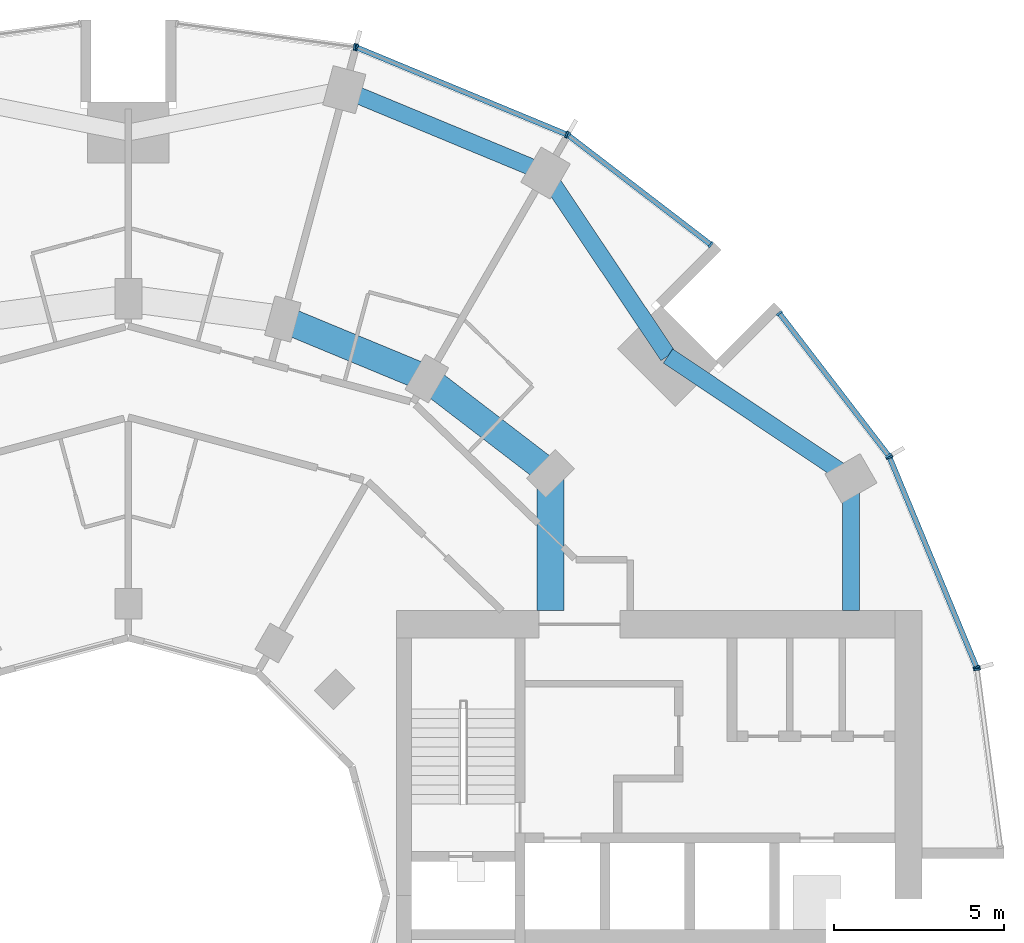
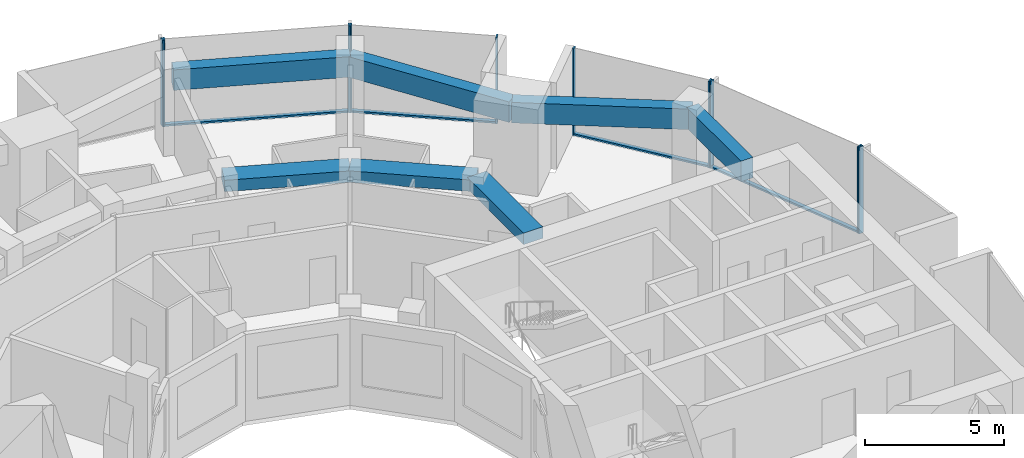
# One storey, part 6 of 15: 14 members, 7 beams, 6 elements without a shape of their own.
"""IFC4 building model written with IfcOpenShell, lengths in metres."""

import ifcopenshell
import ifcopenshell.guid

model = None  # the IFC model being written
_history = None  # IfcOwnerHistory: only IFC2X3 demands one
_inside = {}  # id of a spatial element -> (the spatial element, [elements in it])
_under = {}  # id of a project, library or spatial element -> (it, [spatial elements below it])
_declared = {}  # id of a project -> (the project, [libraries it declares])
_typed = {}  # id of a type object -> (the type object, [elements of that type])
_made_of = {}  # id of a material, layer set ... -> (it, [elements and type objects made of it])


def new_model(schema):
    """Start an empty IFC model of exactly this schema.

    Asked for "IFC4X3", IfcOpenShell would pick the latest addendum, in which some entities
    have other attributes; the version numbers below select the first issue.
    IFC2X3 requires an IfcOwnerHistory on every rooted entity: one is made here for all.
    """
    global model, _history
    if schema == "IFC4X3":
        model = ifcopenshell.file(schema_version=(4, 3, 0, 0))
    else:
        model = ifcopenshell.file(schema=schema)
    _inside.clear()
    _under.clear()
    _declared.clear()
    _typed.clear()
    _made_of.clear()
    _history = None
    if model.schema == "IFC2X3":
        org = make("IfcOrganization", Name="unknown")
        user = make(
            "IfcPersonAndOrganization",
            ThePerson=make("IfcPerson", FamilyName="unknown"),
            TheOrganization=org,
        )
        app = make(
            "IfcApplication",
            ApplicationDeveloper=org,
            Version="unknown",
            ApplicationFullName="unknown",
            ApplicationIdentifier="unknown",
        )
        _history = make(
            "IfcOwnerHistory",
            OwningUser=user,
            OwningApplication=app,
            ChangeAction="ADDED",
            CreationDate=0,
        )
    return model


def make(cls, **values):
    """One entity of the class cls with the attributes given. An attribute that is None is left unset."""
    return model.create_entity(
        cls, **{name: value for name, value in values.items() if value is not None}
    )


def rooted(cls, **values):
    """An entity with a GlobalId (a new one), such as an element, a storey or a relation."""
    return make(cls, GlobalId=ifcopenshell.guid.new(), OwnerHistory=_history, **values)


def si_unit(unit_type, name, prefix=None):
    """IfcSIUnit, for example si_unit("LENGTHUNIT", "METRE", prefix="MILLI")."""
    return make("IfcSIUnit", UnitType=unit_type, Prefix=prefix, Name=name)


def assignment(units):
    """IfcUnitAssignment: the units of a project."""
    return None if units is None else make("IfcUnitAssignment", Units=units)


def point(xyz):
    """IfcCartesianPoint."""
    return None if xyz is None else make("IfcCartesianPoint", Coordinates=xyz)


def direction(xyz):
    """IfcDirection."""
    return None if xyz is None else make("IfcDirection", DirectionRatios=xyz)


def frame(location, z_axis=None, x_axis=None):
    """IfcAxis2Placement3D, a coordinate frame: its origin and axes. An axis left out is left unset."""
    return make(
        "IfcAxis2Placement3D",
        Location=point(location),
        Axis=direction(z_axis),
        RefDirection=direction(x_axis),
    )


def frame_2d(location, x_axis=None):
    """IfcAxis2Placement2D, a coordinate frame in the plane: its origin and x axis."""
    return make(
        "IfcAxis2Placement2D", Location=point(location), RefDirection=direction(x_axis)
    )


def origin():
    """The frame at (0, 0, 0) with its axes left unset."""
    return frame((0.0, 0.0, 0.0))


def origin_2d():
    """The frame at (0, 0) in the plane with its x axis left unset."""
    return frame_2d((0.0, 0.0))


def place(relative_to, where):
    """IfcLocalPlacement: puts the frame where relative to a parent placement (None: the world)."""
    return make(
        "IfcLocalPlacement", PlacementRelTo=relative_to, RelativePlacement=where
    )


def context(
    kind, dimensions, precision=None, world=None, true_north=None, identifier=None
):
    """IfcGeometricRepresentationContext, for example the 3D "Model" context."""
    return make(
        "IfcGeometricRepresentationContext",
        ContextIdentifier=identifier,
        ContextType=kind,
        CoordinateSpaceDimension=dimensions,
        Precision=precision,
        WorldCoordinateSystem=world,
        TrueNorth=true_north,
    )


def subcontext(parent, identifier, kind, view, scale=None):
    """IfcGeometricRepresentationSubContext, for example "Body" below "Model"."""
    return make(
        "IfcGeometricRepresentationSubContext",
        ContextIdentifier=identifier,
        ContextType=kind,
        ParentContext=parent,
        TargetScale=scale,
        TargetView=view,
    )


def project(units=None, contexts=None):
    """IfcProject with its units and contexts."""
    return rooted(
        "IfcProject",
        Name="project",
        RepresentationContexts=contexts,
        UnitsInContext=assignment(units),
    )


def spatial(cls, under=None, at=None, **own):
    """A site, building, storey or space (cls), placed at a placement, below another one or the project."""
    s = rooted(cls, ObjectPlacement=at, **own)
    if under is not None:
        _under.setdefault(under.id(), (under, []))[1].append(s)
    return s


def profile(cls, at=None, kind="AREA", **sizes):
    """A parametric profile (cls). Its sizes go by their IFC names, for example OverallWidth=200.0."""
    return make(cls, ProfileType=kind, Position=at, **sizes)


def rectangle(**sizes):
    """IfcRectangleProfileDef."""
    return profile("IfcRectangleProfileDef", **sizes)


def extrude(swept, where, along, depth):
    """IfcExtrudedAreaSolid: the profile swept, set in the frame where, extruded along a direction by depth."""
    return make(
        "IfcExtrudedAreaSolid",
        SweptArea=swept,
        Position=where,
        ExtrudedDirection=direction(along),
        Depth=depth,
    )


def shape(context_of_items, identifier, shape_type, items):
    """IfcShapeRepresentation: the items that make up one representation, for example the "Body"."""
    return make(
        "IfcShapeRepresentation",
        ContextOfItems=context_of_items,
        RepresentationIdentifier=identifier,
        RepresentationType=shape_type,
        Items=items,
    )


def material(Name=None, Category=None):
    """IfcMaterial."""
    return make("IfcMaterial", Name=Name, Category=Category)


def layer(
    of_material, thickness, ventilated=None, Name=None, Category=None, Priority=None
):
    """IfcMaterialLayer: one layer of a wall or slab, of a material (None: an air gap)."""
    return make(
        "IfcMaterialLayer",
        Material=of_material,
        LayerThickness=thickness,
        IsVentilated=ventilated,
        Name=Name,
        Category=Category,
        Priority=Priority,
    )


def layer_set(layers, Name=None):
    """IfcMaterialLayerSet."""
    return make("IfcMaterialLayerSet", MaterialLayers=layers, LayerSetName=Name)


def material_profile(
    of_material, cross_section, Name=None, Category=None, Priority=None
):
    """IfcMaterialProfile: a cross section and its material."""
    return make(
        "IfcMaterialProfile",
        Name=Name,
        Material=of_material,
        Profile=cross_section,
        Priority=Priority,
        Category=Category,
    )


def profile_set(profiles, Name=None, composite=None):
    """IfcMaterialProfileSet."""
    return make(
        "IfcMaterialProfileSet",
        Name=Name,
        MaterialProfiles=profiles,
        CompositeProfile=composite,
    )


def made_of(thing, what):
    """Note that an element or type object is made of a material, layer set ...; save() writes the relation."""
    if what is not None:
        _made_of.setdefault(what.id(), (what, []))[1].append(thing)
    return thing


def type_object(cls, material=None, **own):
    """A type object (cls), such as IfcWallType, which elements share."""
    return made_of(rooted(cls, **own), material)


def element(
    cls,
    number,
    at=None,
    inside=None,
    cuts=None,
    type_object=None,
    material=None,
    context=None,
    identifier="Body",
    shape_type=None,
    held_by="IfcProductDefinitionShape",
    body=None,
    shapes=None,
    **own,
):
    """One element of the class cls, such as IfcWall. Its Tag is "e" and its number.

    at: its placement. inside: the storey or other place that contains it. cuts: it is an
    opening in that element (IfcRelVoidsElement). A single representation is given by context,
    identifier, shape_type and body (its items); several are given by shapes. held_by: the class
    of the entity that holds the representations. save() writes the other relations.
    """
    e = rooted(cls, Tag="e%d" % number, ObjectPlacement=at, **own)
    if body is not None:
        shapes = [shape(context, identifier, shape_type, body)]
    if shapes is not None:
        e.Representation = make(held_by, Representations=shapes)
    if inside is not None:
        _inside.setdefault(inside.id(), (inside, []))[1].append(e)
    if cuts is not None:
        rooted(
            "IfcRelVoidsElement", RelatingBuildingElement=cuts, RelatedOpeningElement=e
        )
    if type_object is not None:
        _typed.setdefault(type_object.id(), (type_object, []))[1].append(e)
    return made_of(e, material)


def aggregate(whole, parts):
    """IfcRelAggregates: a whole, such as a stair, and the parts it consists of."""
    return rooted("IfcRelAggregates", RelatingObject=whole, RelatedObjects=parts)


def save(model, path):
    """Write the relations noted so far, then the file.

    IfcRelAggregates (storeys below a building ...), IfcRelContainedInSpatialStructure (elements
    in a storey), IfcRelDefinesByType, IfcRelAssociatesMaterial and IfcRelDeclares: one each for
    every whole, place, type object, material and project.
    """
    for whole, parts in _under.values():
        aggregate(whole, parts)
    for where, things in _inside.values():
        rooted(
            "IfcRelContainedInSpatialStructure",
            RelatedElements=things,
            RelatingStructure=where,
        )
    for kind, things in _typed.values():
        rooted("IfcRelDefinesByType", RelatedObjects=things, RelatingType=kind)
    for what, things in _made_of.values():
        rooted("IfcRelAssociatesMaterial", RelatedObjects=things, RelatingMaterial=what)
    for by, libraries in _declared.values():
        rooted("IfcRelDeclares", RelatingContext=by, RelatedDefinitions=libraries)
    model.write(path)


model = new_model("IFC4")

# Units and contexts
model_context = context("Model", 3, precision=1e-05, world=origin(), true_north=direction((0.0, 1.0)))
body_context = subcontext(model_context, "Body", "Model", "MODEL_VIEW")
ifc_project = project(units=[si_unit("LENGTHUNIT", "METRE"), si_unit("AREAUNIT", "SQUARE_METRE"), si_unit("VOLUMEUNIT", "CUBIC_METRE"), si_unit("PLANEANGLEUNIT", "RADIAN"), si_unit("MASSUNIT", "GRAM", prefix="KILO")], contexts=[model_context])

# Site, building, storey
site_placement = place(None, origin())
site = spatial("IfcSite", under=ifc_project, at=site_placement, CompositionType="ELEMENT")
building_placement = place(site_placement, origin())
building = spatial("IfcBuilding", under=site, at=building_placement, Name="Torre Brocal", CompositionType="ELEMENT")
storey_placement = place(building_placement, frame((0.0, 0.0, 55.39990234375)))
storey = spatial("IfcBuildingStorey", under=building, at=storey_placement, Name="L12", CompositionType="ELEMENT", Elevation=55.39990234375)

# Curtain wall, members
ifc_material_1 = material(Name="Aluminium and glass", Category="aluminium")
ifc_layer_1 = layer(ifc_material_1, 0.199951171875)
ifc_layer_set_1 = layer_set([ifc_layer_1], Name="Aluminium and glass")
curtain_wall_type_1 = type_object("IfcCurtainWallType", Name="CW-1 CURTAIN WALL 3800 HIGH", PredefinedType="NOTDEFINED", material=ifc_layer_set_1)
curtain_wall_1_placement = place(storey_placement, origin())
curtain_wall_1 = element("IfcCurtainWall", 1, at=curtain_wall_1_placement, inside=storey, type_object=curtain_wall_type_1, Name="CW-1 RUN 2", PredefinedType="NOTDEFINED")
ifc_material_2 = material(Name="Aluminium, dark anodised", Category="aluminium")
ifc_material_profile_1 = material_profile(ifc_material_2, rectangle(XDim=0.199951171875, YDim=0.06005859375, at=origin_2d()), Name="CW-1 MULLION 60X200")
ifc_profile_set_1 = profile_set([ifc_material_profile_1], Name="Aluminium, dark anodised")
member_type_1 = type_object("IfcMemberType", Name="CW-1 MULLION 60X200", PredefinedType="MULLION", material=ifc_profile_set_1)
member_1_placement = place(storey_placement, frame((105.005126953125, 81.73095703125, 0.0), z_axis=(0.0, 0.0, 1.0), x_axis=(-0.923879532525, -0.382683432333, 0.0)))
member_1 = element("IfcMember", 2, at=member_1_placement, type_object=member_type_1, Name="CW1-1 mullion 1", PredefinedType="MULLION", context=body_context, shape_type="SweptSolid", body=[
    extrude(rectangle(XDim=0.199951171875, YDim=0.06005859375, at=origin_2d()), origin(), (0.0, 0.0, 1.0), 3.800048828125),
])
member_2_placement = place(storey_placement, frame((102.440673828125, 87.921875, 0.0), z_axis=(0.0, 0.0, 1.0), x_axis=(-0.923879532525, -0.382683432333, 0.0)))
member_2 = element("IfcMember", 3, at=member_2_placement, type_object=member_type_1, Name="CW1-1 mullion 2", PredefinedType="MULLION", context=body_context, shape_type="SweptSolid", body=[
    extrude(rectangle(XDim=0.199951171875, YDim=0.06005859375, at=origin_2d()), origin(), (0.0, 0.0, 1.0), 3.800048828125),
])

curtain_wall_2_placement = place(storey_placement, origin())
curtain_wall_2 = element("IfcCurtainWall", 4, at=curtain_wall_2_placement, inside=storey, type_object=curtain_wall_type_1, Name="CW-1 RUN 3", PredefinedType="NOTDEFINED")
member_3_placement = place(storey_placement, frame((102.4111328125, 87.973388671875, 0.0), z_axis=(0.0, 0.0, 1.0), x_axis=(-0.793353340259, -0.60876142905, 0.0)))
member_3 = element("IfcMember", 5, at=member_3_placement, type_object=member_type_1, Name="CW1-1 mullion 1", PredefinedType="MULLION", context=body_context, shape_type="SweptSolid", body=[
    extrude(rectangle(XDim=0.199951171875, YDim=0.06005859375, at=origin_2d()), origin(), (0.0, 0.0, 1.0), 3.800048828125),
])
member_4_placement = place(storey_placement, frame((99.19140625, 92.16943359375, 0.0), z_axis=(0.0, 0.0, 1.0), x_axis=(-0.793353340259, -0.60876142905, 0.0)))
member_4 = element("IfcMember", 6, at=member_4_placement, type_object=member_type_1, Name="CW1-1 mullion 2", PredefinedType="MULLION", context=body_context, shape_type="SweptSolid", body=[
    extrude(rectangle(XDim=0.199951171875, YDim=0.06005859375, at=origin_2d()), origin(), (0.0, 0.0, 1.0), 3.800048828125),
])

curtain_wall_3_placement = place(storey_placement, origin())
curtain_wall_3 = element("IfcCurtainWall", 7, at=curtain_wall_3_placement, inside=storey, type_object=curtain_wall_type_1, Name="CW-1 RUN 4", PredefinedType="NOTDEFINED")
member_5_placement = place(storey_placement, frame((97.16943359375, 94.19140625, 0.0), z_axis=(0.0, 0.0, 1.0), x_axis=(-0.60876142905, -0.793353340259, 0.0)))
member_5 = element("IfcMember", 8, at=member_5_placement, type_object=member_type_1, Name="CW1-1 mullion 1", PredefinedType="MULLION", context=body_context, shape_type="SweptSolid", body=[
    extrude(rectangle(XDim=0.199951171875, YDim=0.06005859375, at=origin_2d()), origin(), (0.0, 0.0, 1.0), 3.800048828125),
])
member_6_placement = place(storey_placement, frame((92.973388671875, 97.4111328125, 0.0), z_axis=(0.0, 0.0, 1.0), x_axis=(-0.60876142905, -0.793353340259, 0.0)))
member_6 = element("IfcMember", 9, at=member_6_placement, type_object=member_type_1, Name="CW1-1 mullion 2", PredefinedType="MULLION", context=body_context, shape_type="SweptSolid", body=[
    extrude(rectangle(XDim=0.199951171875, YDim=0.06005859375, at=origin_2d()), origin(), (0.0, 0.0, 1.0), 3.800048828125),
])

curtain_wall_4_placement = place(storey_placement, origin())
curtain_wall_4 = element("IfcCurtainWall", 10, at=curtain_wall_4_placement, inside=storey, type_object=curtain_wall_type_1, Name="CW-1 RUN 5", PredefinedType="NOTDEFINED")
member_7_placement = place(storey_placement, frame((92.921875, 97.440673828125, 0.0), z_axis=(0.0, 0.0, 1.0), x_axis=(-0.382683432333, -0.923879532525, 0.0)))
member_7 = element("IfcMember", 11, at=member_7_placement, type_object=member_type_1, Name="CW1-1 mullion 1", PredefinedType="MULLION", context=body_context, shape_type="SweptSolid", body=[
    extrude(rectangle(XDim=0.199951171875, YDim=0.06005859375, at=origin_2d()), origin(), (0.0, 0.0, 1.0), 3.800048828125),
])
member_8_placement = place(storey_placement, frame((86.73095703125, 100.005126953125, 0.0), z_axis=(0.0, 0.0, 1.0), x_axis=(-0.382683432333, -0.923879532525, 0.0)))
member_8 = element("IfcMember", 12, at=member_8_placement, type_object=member_type_1, Name="CW1-1 mullion 2", PredefinedType="MULLION", context=body_context, shape_type="SweptSolid", body=[
    extrude(rectangle(XDim=0.199951171875, YDim=0.06005859375, at=origin_2d()), origin(), (0.0, 0.0, 1.0), 3.800048828125),
])

# Curtain wall, member
curtain_wall_5_placement = place(storey_placement, origin())
curtain_wall_5 = element("IfcCurtainWall", 13, at=curtain_wall_5_placement, inside=storey, type_object=curtain_wall_type_1, Name="CW-1 RUN 6", PredefinedType="NOTDEFINED")
member_9_placement = place(storey_placement, frame((86.67333984375, 100.0205078125, 0.0), z_axis=(0.0, 0.0, 1.0), x_axis=(-0.13052619222, -0.991444861374, 0.0)))
member_9 = element("IfcMember", 14, at=member_9_placement, type_object=member_type_1, Name="CW1-1 mullion 1", PredefinedType="MULLION", context=body_context, shape_type="SweptSolid", body=[
    extrude(rectangle(XDim=0.199951171875, YDim=0.06005859375, at=origin_2d()), origin(), (0.0, 0.0, 1.0), 3.800048828125),
])
aggregate(curtain_wall_5, [member_9])

# Member
ifc_material_3 = material(Name="Aluminium, dark anodised", Category="aluminium")
ifc_material_profile_2 = material_profile(ifc_material_3, rectangle(XDim=0.159912109375, YDim=0.080078125, at=origin_2d()), Name="CW-1 TRANSOM 160X80")
ifc_profile_set_2 = profile_set([ifc_material_profile_2], Name="Aluminium, dark anodised")
member_type_2 = type_object("IfcMemberType", Name="CW-1 TRANSOM 160X80", PredefinedType="USERDEFINED", material=ifc_profile_set_2)
member_10_placement = place(storey_placement, frame((104.99365234375, 81.758544921875, 0.0400390625), z_axis=(-0.38266457234, 0.923887344364, 0.0), x_axis=(-0.923887344364, -0.38266457234, 0.0)))
member_10 = element("IfcMember", 15, at=member_10_placement, type_object=member_type_2, Name="CW1-1 transom 1.1", ObjectType="TRANSOM", PredefinedType="USERDEFINED", context=body_context, shape_type="SweptSolid", body=[
    extrude(rectangle(XDim=0.159912109375, YDim=0.080078125, at=origin_2d()), origin(), (0.0, 0.0, 1.0), 6.640869140625),
])

aggregate(curtain_wall_1, [member_1, member_2, member_10])

member_11_placement = place(storey_placement, frame((102.392822265625, 87.9970703125, 0.0400390625), z_axis=(-0.60874908096, 0.79336281513, 0.0), x_axis=(-0.79336281513, -0.60874908096, 0.0)))
member_11 = element("IfcMember", 16, at=member_11_placement, type_object=member_type_2, Name="CW1-1 transom 1.1", ObjectType="TRANSOM", PredefinedType="USERDEFINED", context=body_context, shape_type="SweptSolid", body=[
    extrude(rectangle(XDim=0.159912109375, YDim=0.080078125, at=origin_2d()), origin(), (0.0, 0.0, 1.0), 5.22900390625),
])

aggregate(curtain_wall_2, [member_3, member_4, member_11])

member_12_placement = place(storey_placement, frame((97.1455078125, 94.209716796875, 0.0400390625), z_axis=(-0.79336281513, 0.60874908096, 0.0), x_axis=(-0.60874908096, -0.79336281513, 0.0)))
member_12 = element("IfcMember", 17, at=member_12_placement, type_object=member_type_2, Name="CW1-1 transom 1.1", ObjectType="TRANSOM", PredefinedType="USERDEFINED", context=body_context, shape_type="SweptSolid", body=[
    extrude(rectangle(XDim=0.159912109375, YDim=0.080078125, at=origin_2d()), origin(), (0.0, 0.0, 1.0), 5.22900390625),
])

aggregate(curtain_wall_3, [member_5, member_6, member_12])

member_13_placement = place(storey_placement, frame((92.89404296875, 97.452392578125, 0.0400390625), z_axis=(-0.923887344364, 0.38266457234, 0.0), x_axis=(-0.38266457234, -0.923887344364, 0.0)))
member_13 = element("IfcMember", 18, at=member_13_placement, type_object=member_type_2, Name="CW1-1 transom 1.1", ObjectType="TRANSOM", PredefinedType="USERDEFINED", context=body_context, shape_type="SweptSolid", body=[
    extrude(rectangle(XDim=0.159912109375, YDim=0.080078125, at=origin_2d()), origin(), (0.0, 0.0, 1.0), 6.640869140625),
])

aggregate(curtain_wall_4, [member_7, member_8, member_13])

# Curtain wall, member
ifc_material_4 = material(Name="Aluminium and glass", Category="aluminium")
ifc_layer_2 = layer(ifc_material_4, 0.199951171875)
ifc_layer_set_2 = layer_set([ifc_layer_2], Name="Aluminium and glass")
curtain_wall_type_2 = type_object("IfcCurtainWallType", Name="CW-1B CURTAIN WALL 3800 HIGH", PredefinedType="NOTDEFINED", material=ifc_layer_set_2)
curtain_wall_6_placement = place(storey_placement, origin())
curtain_wall_6 = element("IfcCurtainWall", 19, at=curtain_wall_6_placement, inside=storey, type_object=curtain_wall_type_2, Name="CW-1B RUN 1", PredefinedType="NOTDEFINED")
ifc_material_5 = material(Name="Aluminium, dark anodised", Category="aluminium")
ifc_material_profile_3 = material_profile(ifc_material_5, rectangle(XDim=0.199951171875, YDim=0.06005859375, at=origin_2d()), Name="CW-1B MULLION 60X200")
ifc_profile_set_3 = profile_set([ifc_material_profile_3], Name="Aluminium, dark anodised")
member_type_3 = type_object("IfcMemberType", Name="CW-1B MULLION 60X200", PredefinedType="MULLION", material=ifc_profile_set_3)
member_14_placement = place(storey_placement, frame((105.0205078125, 81.67333984375, 0.0), z_axis=(0.0, 0.0, 1.0), x_axis=(-0.991444861374, -0.13052619222, 0.0)))
member_14 = element("IfcMember", 20, at=member_14_placement, type_object=member_type_3, Name="CW1B-1 mullion 2", PredefinedType="MULLION", context=body_context, shape_type="SweptSolid", body=[
    extrude(rectangle(XDim=0.199951171875, YDim=0.06005859375, at=origin_2d()), origin(), (0.0, 0.0, 1.0), 3.800048828125),
])
aggregate(curtain_wall_6, [member_14])

# Beams
ifc_material_6 = material(Name="Concrete C50", Category="concrete")
ifc_material_profile_4 = material_profile(ifc_material_6, rectangle(XDim=0.800048828125, YDim=0.5, at=origin_2d()), Name="RC 800X500")
ifc_profile_set_4 = profile_set([ifc_material_profile_4], Name="Concrete C50")
beam_type_1 = type_object("IfcBeamType", Name="RC BEAM 800X500 C50 TOP 3480", PredefinedType="BEAM", material=ifc_profile_set_4)
beam_1_placement = place(storey_placement, frame((92.445068359375, 87.445068359375, 3.22998046875), z_axis=(-0.793358265959, 0.6087550097, 0.0), x_axis=(-0.6087550097, -0.793358265959, 0.0)))
element("IfcBeam", 21, at=beam_1_placement, inside=storey, type_object=beam_type_1, Name="Beam BT-19", PredefinedType="BEAM", context=body_context, shape_type="SweptSolid", body=[
    extrude(rectangle(XDim=0.800048828125, YDim=0.5, at=origin_2d()), origin(), (0.0, 0.0, 1.0), 4.594482421875),
])
beam_2_placement = place(storey_placement, frame((88.800048828125, 90.241943359375, 3.22998046875), z_axis=(-0.923878240166, 0.382686552348, 0.0), x_axis=(-0.382686552348, -0.923878240166, 0.0)))
element("IfcBeam", 22, at=beam_2_placement, inside=storey, type_object=beam_type_1, Name="Beam BT-19", PredefinedType="BEAM", context=body_context, shape_type="SweptSolid", body=[
    extrude(rectangle(XDim=0.800048828125, YDim=0.5, at=origin_2d()), origin(), (0.0, 0.0, 1.0), 4.5947265625),
])
beam_3_placement = place(storey_placement, frame((92.445068359375, 87.445068359375, 3.22998046875), z_axis=(0.0, -1.0, 0.0), x_axis=(1.0, 0.0, 0.0)))
element("IfcBeam", 23, at=beam_3_placement, inside=storey, type_object=beam_type_1, Name="Beam BT-19", PredefinedType="BEAM", context=body_context, shape_type="SweptSolid", body=[
    extrude(rectangle(XDim=0.800048828125, YDim=0.5, at=origin_2d()), origin(), (0.0, 0.0, 1.0), 4.045166015625),
])
ifc_material_7 = material(Name="Concrete C50", Category="concrete")
ifc_material_profile_5 = material_profile(ifc_material_7, rectangle(XDim=0.5, YDim=0.89990234375, at=origin_2d()), Name="RC 500X900")
ifc_profile_set_5 = profile_set([ifc_material_profile_5], Name="Concrete C50")
beam_type_2 = type_object("IfcBeamType", Name="RC SPANDREL BEAM 500X900 C50 TOP 3480", PredefinedType="SPANDREL", material=ifc_profile_set_5)
for number, where, z_axis, x_axis, name in (
    (24, (101.30419921875, 87.300048828125, 3.030029296875), (-0.831076844476, 0.556157602282, 0.0), (-0.556157602282, -0.831076844476, 0.0), "Beam BT-20"),
    (25, (95.909912109375, 90.909912109375, 3.030029296875), (-0.556157602282, 0.831076844476, 0.0), (-0.831076844476, -0.556157602282, 0.0), "Beam BT-20"),
):
    element("IfcBeam", number, at=place(storey_placement, frame(where, z_axis=z_axis, x_axis=x_axis)), inside=storey, type_object=beam_type_2, Name=name, PredefinedType="SPANDREL", context=body_context, shape_type="SweptSolid", body=[
        extrude(rectangle(XDim=0.5, YDim=0.89990234375, at=origin_2d()), origin(), (0.0, 0.0, 1.0), 6.49072265625),
    ])
beam_4_placement = place(storey_placement, frame((92.300048828125, 96.30419921875, 3.030029296875), z_axis=(-0.923882462513, 0.382676358639, 0.0), x_axis=(-0.382676358639, -0.923882462513, 0.0)))
element("IfcBeam", 26, at=beam_4_placement, inside=storey, type_object=beam_type_2, Name="Beam BT-20", PredefinedType="SPANDREL", context=body_context, shape_type="SweptSolid", body=[
    extrude(rectangle(XDim=0.5, YDim=0.89990234375, at=origin_2d()), origin(), (0.0, 0.0, 1.0), 6.421875),
])
beam_5_placement = place(storey_placement, frame((101.30419921875, 87.300048828125, 3.030029296875), z_axis=(0.0, -1.0, 0.0), x_axis=(1.0, 0.0, 0.0)))
element("IfcBeam", 27, at=beam_5_placement, inside=storey, type_object=beam_type_2, Name="Beam BT-20", PredefinedType="SPANDREL", context=body_context, shape_type="SweptSolid", body=[
    extrude(rectangle(XDim=0.5, YDim=0.89990234375, at=origin_2d()), origin(), (0.0, 0.0, 1.0), 3.900146484375),
])

save(model, "model.ifc")
